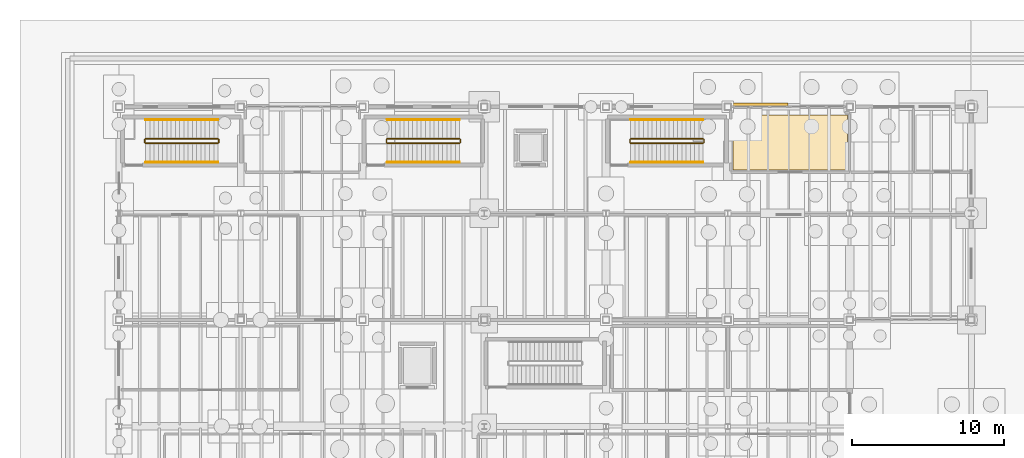
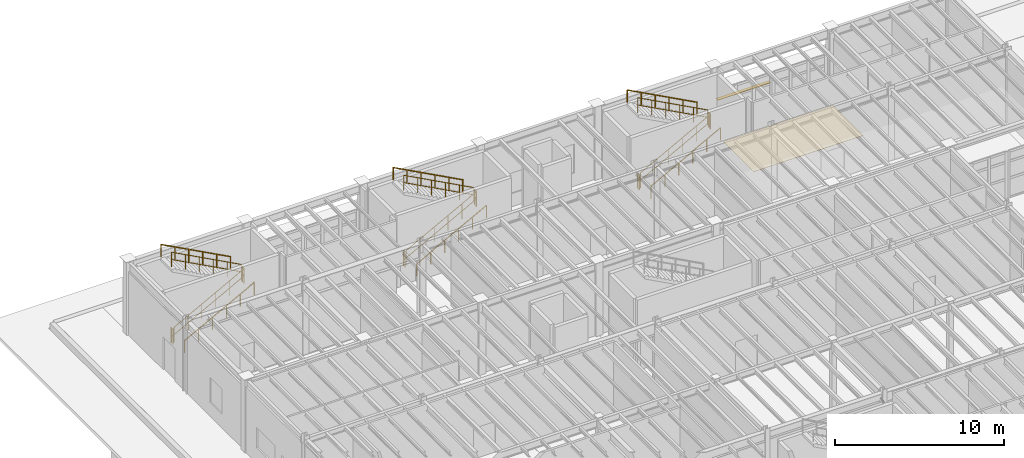
# One storey, part 81 of 86: 18 railings, 1 covering, 1 shading device.
"""IFC4 building model written with IfcOpenShell, lengths in metres."""

from ifc_helpers import new_model, si_unit, direction, frame, origin, origin_2d, place, context, subcontext, project, spatial, polyline, rectangle, circle, outline, extrude, material, layer, layer_set, type_object, element, save


model = new_model("IFC4")

# Units and contexts
model_context = context("Model", 3, precision=1e-05, world=origin(), true_north=direction((0.0, 1.0)))
body_context = subcontext(model_context, "Body", "Model", "MODEL_VIEW")
ifc_project = project(units=[si_unit("LENGTHUNIT", "METRE"), si_unit("AREAUNIT", "SQUARE_METRE"), si_unit("VOLUMEUNIT", "CUBIC_METRE"), si_unit("PLANEANGLEUNIT", "RADIAN"), si_unit("MASSUNIT", "GRAM", prefix="KILO"), si_unit("THERMODYNAMICTEMPERATUREUNIT", "KELVIN"), si_unit("POWERUNIT", "WATT")], contexts=[model_context])

# Site, building, storey
site_placement = place(None, origin())
site = spatial("IfcSite", under=ifc_project, at=site_placement, CompositionType="ELEMENT")
building_placement = place(site_placement, origin())
building = spatial("IfcBuilding", under=site, at=building_placement, Name="Zhenchuan Central Fire Station", CompositionType="ELEMENT")
storey_placement = place(building_placement, frame((0.0, 0.0, 0.449951171875)))
storey = spatial("IfcBuildingStorey", under=building, at=storey_placement, Name="L01", CompositionType="ELEMENT", Elevation=0.449951171875)

# Covering
ifc_material_1 = material(Name="Heavy-duty slip-resistant ceramic tile flooring")
ifc_layer_1 = layer(ifc_material_1, 0.014892578125, Name="Heavy-duty slip-resistant ceramic tile flooring")
ifc_layer_set_1 = layer_set([ifc_layer_1], Name="Heavy-duty slip-resistant ceramic tile flooring")
covering_type = type_object("IfcCoveringType", Name="COV-FLR-RES", PredefinedType="FLOORING", material=ifc_layer_set_1)
covering_placement = place(storey_placement, origin())
element("IfcCovering", 1, at=covering_placement, inside=storey, type_object=covering_type, Name="Breathing-Apparatus Charging Room Ceramic Tile Flooring", PredefinedType="FLOORING", context=body_context, shape_type="SweptSolid", body=[
    extrude(outline(polyline([(40.35009765625, 52.35009765625), (47.85009765625, 52.35009765625), (47.85009765625, 55.949951171875), (40.35009765625, 55.949951171875), (40.35009765625, 52.35009765625)])), origin(), (0.0, 0.0, 1.0), 0.01513671875),
])

# Railings
ifc_material_2 = material(Name="Galvanised powder-coated steel", Category="steel")
railing_type_1 = type_object("IfcRailingType", Name="RL-ST-GRD", PredefinedType="GUARDRAIL", material=ifc_material_2)
railing_1_placement = place(storey_placement, frame((1.75, 54.10009765625, 0.150146484375)))
element("IfcRailing", 2, at=railing_1_placement, inside=storey, type_object=railing_type_1, Name="L01 ST-05 stair guard 1", PredefinedType="GUARDRAIL", context=body_context, shape_type="SweptSolid", body=[
    extrude(circle(Radius=0.02392578125, at=origin_2d()), frame((0.0, 0.0, 1.076171875), z_axis=(0.881495428514, 0.0, 0.472192555542), x_axis=(0.0, 1.0, 0.0)), (0.0, 0.0, 1.0), 5.39990234375),
    extrude(circle(Radius=0.02392578125, at=origin_2d()), frame((0.0, 0.0, 0.550048828125), z_axis=(0.881495428514, 0.0, 0.472192555542), x_axis=(0.0, 1.0, 0.0)), (0.0, 0.0, 1.0), 5.39990234375),
    extrude(circle(Radius=0.02099609375, at=origin_2d()), origin(), (0.0, 0.0, 1.0), 1.052001953125),
    extrude(circle(Radius=0.02099609375, at=origin_2d()), frame((0.951904296875, 0.0, 0.510009765625)), (0.0, 0.0, 1.0), 1.052001953125),
    extrude(circle(Radius=0.02099609375, at=origin_2d()), frame((1.904052734375, 0.0, 1.02001953125)), (0.0, 0.0, 1.0), 1.052001953125),
    extrude(circle(Radius=0.02099609375, at=origin_2d()), frame((2.85595703125, 0.0, 1.52978515625)), (0.0, 0.0, 1.0), 1.052001953125),
    extrude(circle(Radius=0.02099609375, at=origin_2d()), frame((3.80810546875, 0.0, 2.039794921875)), (0.0, 0.0, 1.0), 1.052001953125),
    extrude(circle(Radius=0.02099609375, at=origin_2d()), frame((4.760009765625, 0.0, 2.5498046875)), (0.0, 0.0, 1.0), 1.052001953125),
])
railing_2_placement = place(storey_placement, frame((6.56005859375, 54.14990234375, 2.699951171875)))
element("IfcRailing", 3, at=railing_2_placement, inside=storey, type_object=railing_type_1, Name="L01 ST-05 stair guard 2", PredefinedType="GUARDRAIL", context=body_context, shape_type="SweptSolid", body=[
    extrude(circle(Radius=0.02392578125, at=origin_2d()), frame((0.0, 0.0, 1.076171875), z_axis=(0.0, 1.0, 0.0), x_axis=(-1.0, 0.0, 0.0)), (0.0, 0.0, 1.0), 0.2001953125),
    extrude(circle(Radius=0.02392578125, at=origin_2d()), frame((0.0, 0.0, 0.550048828125), z_axis=(0.0, 1.0, 0.0), x_axis=(-1.0, 0.0, 0.0)), (0.0, 0.0, 1.0), 0.2001953125),
    extrude(circle(Radius=0.02099609375, at=origin_2d()), origin(), (0.0, 0.0, 1.0), 1.052001953125),
    extrude(circle(Radius=0.02099609375, at=origin_2d()), frame((0.0, 0.2001953125, 0.0)), (0.0, 0.0, 1.0), 1.052001953125),
])
railing_3_placement = place(storey_placement, frame((6.510009765625, 54.39990234375, 2.85009765625)))
element("IfcRailing", 4, at=railing_3_placement, inside=storey, type_object=railing_type_1, Name="L01 ST-05 stair guard 3", PredefinedType="GUARDRAIL", context=body_context, shape_type="SweptSolid", body=[
    extrude(circle(Radius=0.02392578125, at=origin_2d()), frame((0.0, 0.0, 1.076171875), z_axis=(-0.881476609435, 0.0, 0.47222768557), x_axis=(0.0, -1.0, 0.0)), (0.0, 0.0, 1.0), 5.400146484375),
    extrude(circle(Radius=0.02392578125, at=origin_2d()), frame((0.0, 0.0, 0.550048828125), z_axis=(-0.881476609435, 0.0, 0.47222768557), x_axis=(0.0, -1.0, 0.0)), (0.0, 0.0, 1.0), 5.400146484375),
    extrude(circle(Radius=0.02099609375, at=origin_2d()), origin(), (0.0, 0.0, 1.0), 1.052001953125),
    extrude(circle(Radius=0.02099609375, at=origin_2d()), frame((-0.951904296875, 0.0, 0.510009765625)), (0.0, 0.0, 1.0), 1.052001953125),
    extrude(circle(Radius=0.02099609375, at=origin_2d()), frame((-1.904052734375, 0.0, 1.02001953125)), (0.0, 0.0, 1.0), 1.052001953125),
    extrude(circle(Radius=0.02099609375, at=origin_2d()), frame((-2.85595703125, 0.0, 1.530029296875)), (0.0, 0.0, 1.0), 1.052001953125),
    extrude(circle(Radius=0.02099609375, at=origin_2d()), frame((-3.80810546875, 0.0, 2.0400390625)), (0.0, 0.0, 1.0), 1.052001953125),
    extrude(circle(Radius=0.02099609375, at=origin_2d()), frame((-4.760009765625, 0.0, 2.550048828125)), (0.0, 0.0, 1.0), 1.052001953125),
])
railing_4_placement = place(storey_placement, frame((1.699951171875, 54.14990234375, 0.0)))
element("IfcRailing", 5, at=railing_4_placement, inside=storey, type_object=railing_type_1, Name="L01 ST-05 stair guard 4", PredefinedType="GUARDRAIL", context=body_context, shape_type="SweptSolid", body=[
    extrude(circle(Radius=0.02392578125, at=origin_2d()), frame((0.0, 0.0, 1.076171875), z_axis=(0.0, 1.0, 0.0), x_axis=(-1.0, 0.0, 0.0)), (0.0, 0.0, 1.0), 0.2001953125),
    extrude(circle(Radius=0.02392578125, at=origin_2d()), frame((0.0, 0.0, 0.550048828125), z_axis=(0.0, 1.0, 0.0), x_axis=(-1.0, 0.0, 0.0)), (0.0, 0.0, 1.0), 0.2001953125),
    extrude(circle(Radius=0.02099609375, at=origin_2d()), origin(), (0.0, 0.0, 1.0), 1.052001953125),
    extrude(circle(Radius=0.02099609375, at=origin_2d()), frame((0.0, 0.2001953125, 0.0)), (0.0, 0.0, 1.0), 1.052001953125),
])
railing_5_placement = place(storey_placement, frame((17.6201171875, 54.10009765625, 0.150146484375)))
element("IfcRailing", 6, at=railing_5_placement, inside=storey, type_object=railing_type_1, Name="L01 ST-06 stair guard 1", PredefinedType="GUARDRAIL", context=body_context, shape_type="SweptSolid", body=[
    extrude(circle(Radius=0.02392578125, at=origin_2d()), frame((0.0, 0.0, 1.076171875), z_axis=(0.881485347215, 0.0, 0.472211374965), x_axis=(0.0, 1.0, 0.0)), (0.0, 0.0, 1.0), 5.399658203125),
    extrude(circle(Radius=0.02392578125, at=origin_2d()), frame((0.0, 0.0, 0.550048828125), z_axis=(0.881485347215, 0.0, 0.472211374965), x_axis=(0.0, 1.0, 0.0)), (0.0, 0.0, 1.0), 5.399658203125),
    extrude(circle(Radius=0.02099609375, at=origin_2d()), origin(), (0.0, 0.0, 1.0), 1.052001953125),
    extrude(circle(Radius=0.02099609375, at=origin_2d()), frame((0.951904296875, 0.0, 0.510009765625)), (0.0, 0.0, 1.0), 1.052001953125),
    extrude(circle(Radius=0.02099609375, at=origin_2d()), frame((1.90380859375, 0.0, 1.02001953125)), (0.0, 0.0, 1.0), 1.052001953125),
    extrude(circle(Radius=0.02099609375, at=origin_2d()), frame((2.85595703125, 0.0, 1.52978515625)), (0.0, 0.0, 1.0), 1.052001953125),
    extrude(circle(Radius=0.02099609375, at=origin_2d()), frame((3.807861328125, 0.0, 2.039794921875)), (0.0, 0.0, 1.0), 1.052001953125),
    extrude(circle(Radius=0.02099609375, at=origin_2d()), frame((4.759765625, 0.0, 2.5498046875)), (0.0, 0.0, 1.0), 1.052001953125),
])
railing_6_placement = place(storey_placement, frame((22.429931640625, 54.14990234375, 2.699951171875)))
element("IfcRailing", 7, at=railing_6_placement, inside=storey, type_object=railing_type_1, Name="L01 ST-06 stair guard 2", PredefinedType="GUARDRAIL", context=body_context, shape_type="SweptSolid", body=[
    extrude(circle(Radius=0.02392578125, at=origin_2d()), frame((0.0, 0.0, 1.076171875), z_axis=(0.0, 1.0, 0.0), x_axis=(-1.0, 0.0, 0.0)), (0.0, 0.0, 1.0), 0.2001953125),
    extrude(circle(Radius=0.02392578125, at=origin_2d()), frame((0.0, 0.0, 0.550048828125), z_axis=(0.0, 1.0, 0.0), x_axis=(-1.0, 0.0, 0.0)), (0.0, 0.0, 1.0), 0.2001953125),
    extrude(circle(Radius=0.02099609375, at=origin_2d()), origin(), (0.0, 0.0, 1.0), 1.052001953125),
    extrude(circle(Radius=0.02099609375, at=origin_2d()), frame((0.0, 0.2001953125, 0.0)), (0.0, 0.0, 1.0), 1.052001953125),
])
railing_7_placement = place(storey_placement, frame((22.3798828125, 54.39990234375, 2.85009765625)))
element("IfcRailing", 8, at=railing_7_placement, inside=storey, type_object=railing_type_1, Name="L01 ST-06 stair guard 3", PredefinedType="GUARDRAIL", context=body_context, shape_type="SweptSolid", body=[
    extrude(circle(Radius=0.02392578125, at=origin_2d()), frame((0.0, 0.0, 1.076171875), z_axis=(-0.881466526851, 0.0, 0.472246505589), x_axis=(0.0, -1.0, 0.0)), (0.0, 0.0, 1.0), 5.39990234375),
    extrude(circle(Radius=0.02392578125, at=origin_2d()), frame((0.0, 0.0, 0.550048828125), z_axis=(-0.881466526851, 0.0, 0.472246505589), x_axis=(0.0, -1.0, 0.0)), (0.0, 0.0, 1.0), 5.39990234375),
    extrude(circle(Radius=0.02099609375, at=origin_2d()), origin(), (0.0, 0.0, 1.0), 1.052001953125),
    extrude(circle(Radius=0.02099609375, at=origin_2d()), frame((-0.951904296875, 0.0, 0.510009765625)), (0.0, 0.0, 1.0), 1.052001953125),
    extrude(circle(Radius=0.02099609375, at=origin_2d()), frame((-1.90380859375, 0.0, 1.02001953125)), (0.0, 0.0, 1.0), 1.052001953125),
    extrude(circle(Radius=0.02099609375, at=origin_2d()), frame((-2.85595703125, 0.0, 1.530029296875)), (0.0, 0.0, 1.0), 1.052001953125),
    extrude(circle(Radius=0.02099609375, at=origin_2d()), frame((-3.807861328125, 0.0, 2.0400390625)), (0.0, 0.0, 1.0), 1.052001953125),
    extrude(circle(Radius=0.02099609375, at=origin_2d()), frame((-4.759765625, 0.0, 2.550048828125)), (0.0, 0.0, 1.0), 1.052001953125),
])
railing_8_placement = place(storey_placement, frame((17.570068359375, 54.14990234375, 0.0)))
element("IfcRailing", 9, at=railing_8_placement, inside=storey, type_object=railing_type_1, Name="L01 ST-06 stair guard 4", PredefinedType="GUARDRAIL", context=body_context, shape_type="SweptSolid", body=[
    extrude(circle(Radius=0.02392578125, at=origin_2d()), frame((0.0, 0.0, 1.076171875), z_axis=(0.0, 1.0, 0.0), x_axis=(-1.0, 0.0, 0.0)), (0.0, 0.0, 1.0), 0.2001953125),
    extrude(circle(Radius=0.02392578125, at=origin_2d()), frame((0.0, 0.0, 0.550048828125), z_axis=(0.0, 1.0, 0.0), x_axis=(-1.0, 0.0, 0.0)), (0.0, 0.0, 1.0), 0.2001953125),
    extrude(circle(Radius=0.02099609375, at=origin_2d()), origin(), (0.0, 0.0, 1.0), 1.052001953125),
    extrude(circle(Radius=0.02099609375, at=origin_2d()), frame((0.0, 0.2001953125, 0.0)), (0.0, 0.0, 1.0), 1.052001953125),
])
railing_9_placement = place(storey_placement, frame((33.6201171875, 54.10009765625, 0.150146484375)))
element("IfcRailing", 10, at=railing_9_placement, inside=storey, type_object=railing_type_1, Name="L01 ST-07 stair guard 1", PredefinedType="GUARDRAIL", context=body_context, shape_type="SweptSolid", body=[
    extrude(circle(Radius=0.02392578125, at=origin_2d()), frame((0.0, 0.0, 1.076171875), z_axis=(0.881485347215, 0.0, 0.472211374965), x_axis=(0.0, 1.0, 0.0)), (0.0, 0.0, 1.0), 5.399658203125),
    extrude(circle(Radius=0.02392578125, at=origin_2d()), frame((0.0, 0.0, 0.550048828125), z_axis=(0.881485347215, 0.0, 0.472211374965), x_axis=(0.0, 1.0, 0.0)), (0.0, 0.0, 1.0), 5.399658203125),
    extrude(circle(Radius=0.02099609375, at=origin_2d()), origin(), (0.0, 0.0, 1.0), 1.052001953125),
    extrude(circle(Radius=0.02099609375, at=origin_2d()), frame((0.951904296875, 0.0, 0.510009765625)), (0.0, 0.0, 1.0), 1.052001953125),
    extrude(circle(Radius=0.02099609375, at=origin_2d()), frame((1.90380859375, 0.0, 1.02001953125)), (0.0, 0.0, 1.0), 1.052001953125),
    extrude(circle(Radius=0.02099609375, at=origin_2d()), frame((2.85595703125, 0.0, 1.52978515625)), (0.0, 0.0, 1.0), 1.052001953125),
    extrude(circle(Radius=0.02099609375, at=origin_2d()), frame((3.807861328125, 0.0, 2.039794921875)), (0.0, 0.0, 1.0), 1.052001953125),
    extrude(circle(Radius=0.02099609375, at=origin_2d()), frame((4.759765625, 0.0, 2.5498046875)), (0.0, 0.0, 1.0), 1.052001953125),
])
railing_10_placement = place(storey_placement, frame((38.429931640625, 54.14990234375, 2.699951171875)))
element("IfcRailing", 11, at=railing_10_placement, inside=storey, type_object=railing_type_1, Name="L01 ST-07 stair guard 2", PredefinedType="GUARDRAIL", context=body_context, shape_type="SweptSolid", body=[
    extrude(circle(Radius=0.02392578125, at=origin_2d()), frame((0.0, 0.0, 1.076171875), z_axis=(0.0, 1.0, 0.0), x_axis=(-1.0, 0.0, 0.0)), (0.0, 0.0, 1.0), 0.2001953125),
    extrude(circle(Radius=0.02392578125, at=origin_2d()), frame((0.0, 0.0, 0.550048828125), z_axis=(0.0, 1.0, 0.0), x_axis=(-1.0, 0.0, 0.0)), (0.0, 0.0, 1.0), 0.2001953125),
    extrude(circle(Radius=0.02099609375, at=origin_2d()), origin(), (0.0, 0.0, 1.0), 1.052001953125),
    extrude(circle(Radius=0.02099609375, at=origin_2d()), frame((0.0, 0.2001953125, 0.0)), (0.0, 0.0, 1.0), 1.052001953125),
])
railing_11_placement = place(storey_placement, frame((38.3798828125, 54.39990234375, 2.85009765625)))
element("IfcRailing", 12, at=railing_11_placement, inside=storey, type_object=railing_type_1, Name="L01 ST-07 stair guard 3", PredefinedType="GUARDRAIL", context=body_context, shape_type="SweptSolid", body=[
    extrude(circle(Radius=0.02392578125, at=origin_2d()), frame((0.0, 0.0, 1.076171875), z_axis=(-0.881466526851, 0.0, 0.472246505589), x_axis=(0.0, -1.0, 0.0)), (0.0, 0.0, 1.0), 5.39990234375),
    extrude(circle(Radius=0.02392578125, at=origin_2d()), frame((0.0, 0.0, 0.550048828125), z_axis=(-0.881466526851, 0.0, 0.472246505589), x_axis=(0.0, -1.0, 0.0)), (0.0, 0.0, 1.0), 5.39990234375),
    extrude(circle(Radius=0.02099609375, at=origin_2d()), origin(), (0.0, 0.0, 1.0), 1.052001953125),
    extrude(circle(Radius=0.02099609375, at=origin_2d()), frame((-0.951904296875, 0.0, 0.510009765625)), (0.0, 0.0, 1.0), 1.052001953125),
    extrude(circle(Radius=0.02099609375, at=origin_2d()), frame((-1.90380859375, 0.0, 1.02001953125)), (0.0, 0.0, 1.0), 1.052001953125),
    extrude(circle(Radius=0.02099609375, at=origin_2d()), frame((-2.85595703125, 0.0, 1.530029296875)), (0.0, 0.0, 1.0), 1.052001953125),
    extrude(circle(Radius=0.02099609375, at=origin_2d()), frame((-3.807861328125, 0.0, 2.0400390625)), (0.0, 0.0, 1.0), 1.052001953125),
    extrude(circle(Radius=0.02099609375, at=origin_2d()), frame((-4.759765625, 0.0, 2.550048828125)), (0.0, 0.0, 1.0), 1.052001953125),
])
railing_12_placement = place(storey_placement, frame((33.570068359375, 54.14990234375, 0.0)))
element("IfcRailing", 13, at=railing_12_placement, inside=storey, type_object=railing_type_1, Name="L01 ST-07 stair guard 4", PredefinedType="GUARDRAIL", context=body_context, shape_type="SweptSolid", body=[
    extrude(circle(Radius=0.02392578125, at=origin_2d()), frame((0.0, 0.0, 1.076171875), z_axis=(0.0, 1.0, 0.0), x_axis=(-1.0, 0.0, 0.0)), (0.0, 0.0, 1.0), 0.2001953125),
    extrude(circle(Radius=0.02392578125, at=origin_2d()), frame((0.0, 0.0, 0.550048828125), z_axis=(0.0, 1.0, 0.0), x_axis=(-1.0, 0.0, 0.0)), (0.0, 0.0, 1.0), 0.2001953125),
    extrude(circle(Radius=0.02099609375, at=origin_2d()), origin(), (0.0, 0.0, 1.0), 1.052001953125),
    extrude(circle(Radius=0.02099609375, at=origin_2d()), frame((0.0, 0.2001953125, 0.0)), (0.0, 0.0, 1.0), 1.052001953125),
])
ifc_material_3 = material(Name="Brushed stainless steel handrail", Category="steel")
railing_type_2 = type_object("IfcRailingType", Name="RL-ST-HND", PredefinedType="HANDRAIL", material=ifc_material_3)
railing_13_placement = place(storey_placement, frame((1.75, 52.85009765625, 0.150146484375)))
element("IfcRailing", 14, at=railing_13_placement, inside=storey, type_object=railing_type_2, Name="L01 ST-05 stair handrail 1", PredefinedType="HANDRAIL", context=body_context, shape_type="SweptSolid", body=[
    extrude(circle(Radius=0.02392578125, at=origin_2d()), frame((0.0, 0.0, 0.8759765625), z_axis=(0.881495428514, 0.0, 0.472192555542), x_axis=(0.0, 1.0, 0.0)), (0.0, 0.0, 1.0), 5.39990234375),
    extrude(circle(Radius=0.02099609375, at=origin_2d()), origin(), (0.0, 0.0, 1.0), 0.851806640625),
    extrude(circle(Radius=0.02099609375, at=origin_2d()), frame((0.951904296875, 0.0, 0.510009765625)), (0.0, 0.0, 1.0), 0.851806640625),
    extrude(circle(Radius=0.02099609375, at=origin_2d()), frame((1.904052734375, 0.0, 1.02001953125)), (0.0, 0.0, 1.0), 0.851806640625),
    extrude(circle(Radius=0.02099609375, at=origin_2d()), frame((2.85595703125, 0.0, 1.52978515625)), (0.0, 0.0, 1.0), 0.851806640625),
    extrude(circle(Radius=0.02099609375, at=origin_2d()), frame((3.80810546875, 0.0, 2.039794921875)), (0.0, 0.0, 1.0), 0.851806640625),
    extrude(circle(Radius=0.02099609375, at=origin_2d()), frame((4.760009765625, 0.0, 2.5498046875)), (0.0, 0.0, 1.0), 0.851806640625),
])
railing_14_placement = place(storey_placement, frame((6.510009765625, 55.64990234375, 2.85009765625)))
element("IfcRailing", 15, at=railing_14_placement, inside=storey, type_object=railing_type_2, Name="L01 ST-05 stair handrail 2", PredefinedType="HANDRAIL", context=body_context, shape_type="SweptSolid", body=[
    extrude(circle(Radius=0.02392578125, at=origin_2d()), frame((0.0, 0.0, 0.8759765625), z_axis=(-0.881476609435, 0.0, 0.47222768557), x_axis=(0.0, -1.0, 0.0)), (0.0, 0.0, 1.0), 5.400146484375),
    extrude(circle(Radius=0.02099609375, at=origin_2d()), origin(), (0.0, 0.0, 1.0), 0.851806640625),
    extrude(circle(Radius=0.02099609375, at=origin_2d()), frame((-0.951904296875, 0.0, 0.510009765625)), (0.0, 0.0, 1.0), 0.851806640625),
    extrude(circle(Radius=0.02099609375, at=origin_2d()), frame((-1.904052734375, 0.0, 1.02001953125)), (0.0, 0.0, 1.0), 0.851806640625),
    extrude(circle(Radius=0.02099609375, at=origin_2d()), frame((-2.85595703125, 0.0, 1.530029296875)), (0.0, 0.0, 1.0), 0.851806640625),
    extrude(circle(Radius=0.02099609375, at=origin_2d()), frame((-3.80810546875, 0.0, 2.0400390625)), (0.0, 0.0, 1.0), 0.851806640625),
    extrude(circle(Radius=0.02099609375, at=origin_2d()), frame((-4.760009765625, 0.0, 2.550048828125)), (0.0, 0.0, 1.0), 0.851806640625),
])
railing_15_placement = place(storey_placement, frame((17.6201171875, 52.85009765625, 0.150146484375)))
element("IfcRailing", 16, at=railing_15_placement, inside=storey, type_object=railing_type_2, Name="L01 ST-06 stair handrail 1", PredefinedType="HANDRAIL", context=body_context, shape_type="SweptSolid", body=[
    extrude(circle(Radius=0.02392578125, at=origin_2d()), frame((0.0, 0.0, 0.8759765625), z_axis=(0.881485347215, 0.0, 0.472211374965), x_axis=(0.0, 1.0, 0.0)), (0.0, 0.0, 1.0), 5.399658203125),
    extrude(circle(Radius=0.02099609375, at=origin_2d()), origin(), (0.0, 0.0, 1.0), 0.851806640625),
    extrude(circle(Radius=0.02099609375, at=origin_2d()), frame((0.951904296875, 0.0, 0.510009765625)), (0.0, 0.0, 1.0), 0.851806640625),
    extrude(circle(Radius=0.02099609375, at=origin_2d()), frame((1.90380859375, 0.0, 1.02001953125)), (0.0, 0.0, 1.0), 0.851806640625),
    extrude(circle(Radius=0.02099609375, at=origin_2d()), frame((2.85595703125, 0.0, 1.52978515625)), (0.0, 0.0, 1.0), 0.851806640625),
    extrude(circle(Radius=0.02099609375, at=origin_2d()), frame((3.807861328125, 0.0, 2.039794921875)), (0.0, 0.0, 1.0), 0.851806640625),
    extrude(circle(Radius=0.02099609375, at=origin_2d()), frame((4.759765625, 0.0, 2.5498046875)), (0.0, 0.0, 1.0), 0.851806640625),
])
railing_16_placement = place(storey_placement, frame((22.3798828125, 55.64990234375, 2.85009765625)))
element("IfcRailing", 17, at=railing_16_placement, inside=storey, type_object=railing_type_2, Name="L01 ST-06 stair handrail 2", PredefinedType="HANDRAIL", context=body_context, shape_type="SweptSolid", body=[
    extrude(circle(Radius=0.02392578125, at=origin_2d()), frame((0.0, 0.0, 0.8759765625), z_axis=(-0.881466526851, 0.0, 0.472246505589), x_axis=(0.0, -1.0, 0.0)), (0.0, 0.0, 1.0), 5.39990234375),
    extrude(circle(Radius=0.02099609375, at=origin_2d()), origin(), (0.0, 0.0, 1.0), 0.851806640625),
    extrude(circle(Radius=0.02099609375, at=origin_2d()), frame((-0.951904296875, 0.0, 0.510009765625)), (0.0, 0.0, 1.0), 0.851806640625),
    extrude(circle(Radius=0.02099609375, at=origin_2d()), frame((-1.90380859375, 0.0, 1.02001953125)), (0.0, 0.0, 1.0), 0.851806640625),
    extrude(circle(Radius=0.02099609375, at=origin_2d()), frame((-2.85595703125, 0.0, 1.530029296875)), (0.0, 0.0, 1.0), 0.851806640625),
    extrude(circle(Radius=0.02099609375, at=origin_2d()), frame((-3.807861328125, 0.0, 2.0400390625)), (0.0, 0.0, 1.0), 0.851806640625),
    extrude(circle(Radius=0.02099609375, at=origin_2d()), frame((-4.759765625, 0.0, 2.550048828125)), (0.0, 0.0, 1.0), 0.851806640625),
])
railing_17_placement = place(storey_placement, frame((33.6201171875, 52.85009765625, 0.150146484375)))
element("IfcRailing", 18, at=railing_17_placement, inside=storey, type_object=railing_type_2, Name="L01 ST-07 stair handrail 1", PredefinedType="HANDRAIL", context=body_context, shape_type="SweptSolid", body=[
    extrude(circle(Radius=0.02392578125, at=origin_2d()), frame((0.0, 0.0, 0.8759765625), z_axis=(0.881485347215, 0.0, 0.472211374965), x_axis=(0.0, 1.0, 0.0)), (0.0, 0.0, 1.0), 5.399658203125),
    extrude(circle(Radius=0.02099609375, at=origin_2d()), origin(), (0.0, 0.0, 1.0), 0.851806640625),
    extrude(circle(Radius=0.02099609375, at=origin_2d()), frame((0.951904296875, 0.0, 0.510009765625)), (0.0, 0.0, 1.0), 0.851806640625),
    extrude(circle(Radius=0.02099609375, at=origin_2d()), frame((1.90380859375, 0.0, 1.02001953125)), (0.0, 0.0, 1.0), 0.851806640625),
    extrude(circle(Radius=0.02099609375, at=origin_2d()), frame((2.85595703125, 0.0, 1.52978515625)), (0.0, 0.0, 1.0), 0.851806640625),
    extrude(circle(Radius=0.02099609375, at=origin_2d()), frame((3.807861328125, 0.0, 2.039794921875)), (0.0, 0.0, 1.0), 0.851806640625),
    extrude(circle(Radius=0.02099609375, at=origin_2d()), frame((4.759765625, 0.0, 2.5498046875)), (0.0, 0.0, 1.0), 0.851806640625),
])
railing_18_placement = place(storey_placement, frame((38.3798828125, 55.64990234375, 2.85009765625)))
element("IfcRailing", 19, at=railing_18_placement, inside=storey, type_object=railing_type_2, Name="L01 ST-07 stair handrail 2", PredefinedType="HANDRAIL", context=body_context, shape_type="SweptSolid", body=[
    extrude(circle(Radius=0.02392578125, at=origin_2d()), frame((0.0, 0.0, 0.8759765625), z_axis=(-0.881466526851, 0.0, 0.472246505589), x_axis=(0.0, -1.0, 0.0)), (0.0, 0.0, 1.0), 5.39990234375),
    extrude(circle(Radius=0.02099609375, at=origin_2d()), origin(), (0.0, 0.0, 1.0), 0.851806640625),
    extrude(circle(Radius=0.02099609375, at=origin_2d()), frame((-0.951904296875, 0.0, 0.510009765625)), (0.0, 0.0, 1.0), 0.851806640625),
    extrude(circle(Radius=0.02099609375, at=origin_2d()), frame((-1.90380859375, 0.0, 1.02001953125)), (0.0, 0.0, 1.0), 0.851806640625),
    extrude(circle(Radius=0.02099609375, at=origin_2d()), frame((-2.85595703125, 0.0, 1.530029296875)), (0.0, 0.0, 1.0), 0.851806640625),
    extrude(circle(Radius=0.02099609375, at=origin_2d()), frame((-3.807861328125, 0.0, 2.0400390625)), (0.0, 0.0, 1.0), 0.851806640625),
    extrude(circle(Radius=0.02099609375, at=origin_2d()), frame((-4.759765625, 0.0, 2.550048828125)), (0.0, 0.0, 1.0), 0.851806640625),
])

# Shading device
ifc_material_4 = material(Name="Anodised aluminium EN AW-6063", Category="aluminium")
ifc_layer_2 = layer(ifc_material_4, 0.0400390625, Name="Anodised aluminium EN AW-6063", Category="aluminium")
ifc_layer_set_2 = layer_set([ifc_layer_2], Name="Anodised aluminium EN AW-6063")
shading_device_type = type_object("IfcShadingDeviceType", Name="SHD-ALU-FIN", PredefinedType="JALOUSIE", material=ifc_layer_set_2)
shading_device_placement = place(storey_placement, frame((42.131103515625, 56.638427734375, 2.629638671875), z_axis=(0.0, 0.0, 1.0), x_axis=(1.0, 0.0, 0.0)))
element("IfcShadingDevice", 20, at=shading_device_placement, inside=storey, type_object=shading_device_type, Name="Perforated Aluminium Sun-Shading Louvre 005", PredefinedType="JALOUSIE", context=body_context, shape_type="SweptSolid", body=[
    extrude(rectangle(XDim=3.6220703125, YDim=0.219970703125, at=origin_2d()), origin(), (0.0, 0.0, 1.0), 0.044921875),
])

save(model, "model.ifc")
